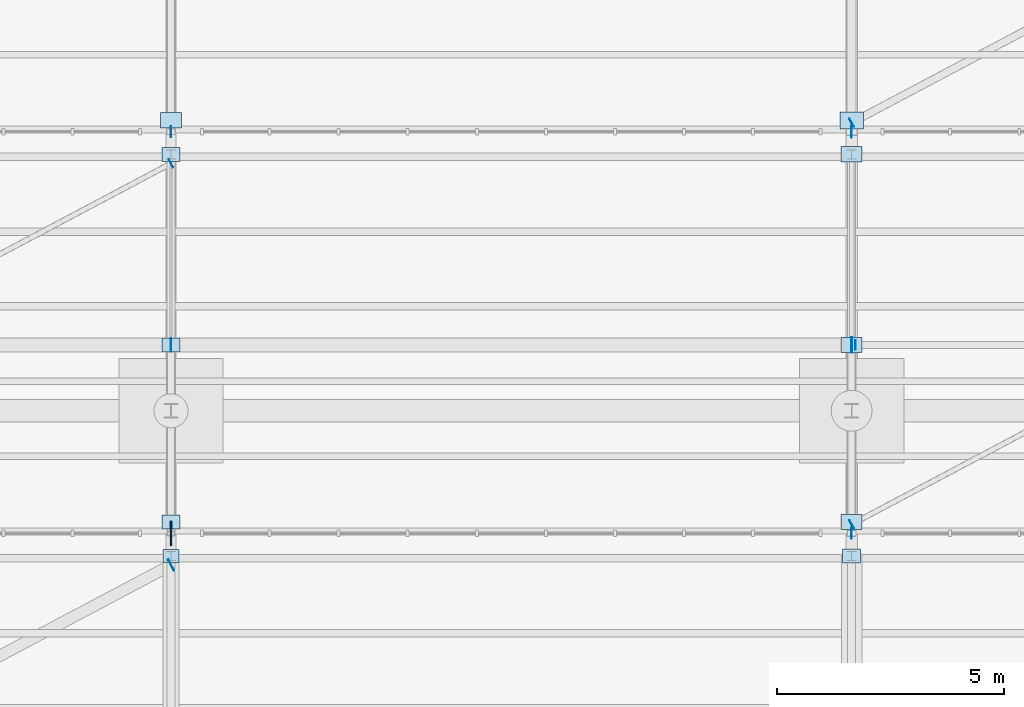
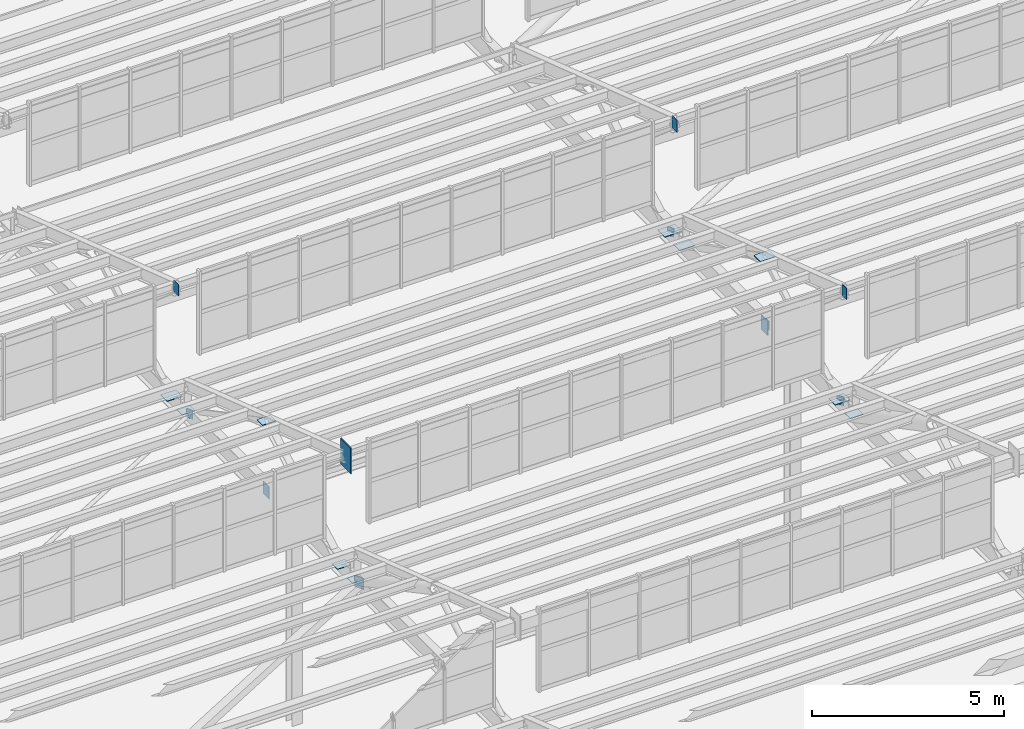
# One storey, part 217 of 285: 21 plates.
"""IFC4 building model written with IfcOpenShell, lengths in metres."""

import ifcopenshell
import ifcopenshell.guid

model = None  # the IFC model being written
_history = None  # IfcOwnerHistory: only IFC2X3 demands one
_inside = {}  # id of a spatial element -> (the spatial element, [elements in it])
_under = {}  # id of a project, library or spatial element -> (it, [spatial elements below it])
_declared = {}  # id of a project -> (the project, [libraries it declares])
_typed = {}  # id of a type object -> (the type object, [elements of that type])
_made_of = {}  # id of a material, layer set ... -> (it, [elements and type objects made of it])


def new_model(schema):
    """Start an empty IFC model of exactly this schema.

    Asked for "IFC4X3", IfcOpenShell would pick the latest addendum, in which some entities
    have other attributes; the version numbers below select the first issue.
    IFC2X3 requires an IfcOwnerHistory on every rooted entity: one is made here for all.
    """
    global model, _history
    if schema == "IFC4X3":
        model = ifcopenshell.file(schema_version=(4, 3, 0, 0))
    else:
        model = ifcopenshell.file(schema=schema)
    _inside.clear()
    _under.clear()
    _declared.clear()
    _typed.clear()
    _made_of.clear()
    _history = None
    if model.schema == "IFC2X3":
        org = make("IfcOrganization", Name="unknown")
        user = make(
            "IfcPersonAndOrganization",
            ThePerson=make("IfcPerson", FamilyName="unknown"),
            TheOrganization=org,
        )
        app = make(
            "IfcApplication",
            ApplicationDeveloper=org,
            Version="unknown",
            ApplicationFullName="unknown",
            ApplicationIdentifier="unknown",
        )
        _history = make(
            "IfcOwnerHistory",
            OwningUser=user,
            OwningApplication=app,
            ChangeAction="ADDED",
            CreationDate=0,
        )
    return model


def make(cls, **values):
    """One entity of the class cls with the attributes given. An attribute that is None is left unset."""
    return model.create_entity(
        cls, **{name: value for name, value in values.items() if value is not None}
    )


def rooted(cls, **values):
    """An entity with a GlobalId (a new one), such as an element, a storey or a relation."""
    return make(cls, GlobalId=ifcopenshell.guid.new(), OwnerHistory=_history, **values)


def si_unit(unit_type, name, prefix=None):
    """IfcSIUnit, for example si_unit("LENGTHUNIT", "METRE", prefix="MILLI")."""
    return make("IfcSIUnit", UnitType=unit_type, Prefix=prefix, Name=name)


def assignment(units):
    """IfcUnitAssignment: the units of a project."""
    return None if units is None else make("IfcUnitAssignment", Units=units)


def point(xyz):
    """IfcCartesianPoint."""
    return None if xyz is None else make("IfcCartesianPoint", Coordinates=xyz)


def direction(xyz):
    """IfcDirection."""
    return None if xyz is None else make("IfcDirection", DirectionRatios=xyz)


def frame(location, z_axis=None, x_axis=None):
    """IfcAxis2Placement3D, a coordinate frame: its origin and axes. An axis left out is left unset."""
    return make(
        "IfcAxis2Placement3D",
        Location=point(location),
        Axis=direction(z_axis),
        RefDirection=direction(x_axis),
    )


def frame_2d(location, x_axis=None):
    """IfcAxis2Placement2D, a coordinate frame in the plane: its origin and x axis."""
    return make(
        "IfcAxis2Placement2D", Location=point(location), RefDirection=direction(x_axis)
    )


def origin():
    """The frame at (0, 0, 0) with its axes left unset."""
    return frame((0.0, 0.0, 0.0))


def origin_2d():
    """The frame at (0, 0) in the plane with its x axis left unset."""
    return frame_2d((0.0, 0.0))


def place(relative_to, where):
    """IfcLocalPlacement: puts the frame where relative to a parent placement (None: the world)."""
    return make(
        "IfcLocalPlacement", PlacementRelTo=relative_to, RelativePlacement=where
    )


def context(
    kind, dimensions, precision=None, world=None, true_north=None, identifier=None
):
    """IfcGeometricRepresentationContext, for example the 3D "Model" context."""
    return make(
        "IfcGeometricRepresentationContext",
        ContextIdentifier=identifier,
        ContextType=kind,
        CoordinateSpaceDimension=dimensions,
        Precision=precision,
        WorldCoordinateSystem=world,
        TrueNorth=true_north,
    )


def subcontext(parent, identifier, kind, view, scale=None):
    """IfcGeometricRepresentationSubContext, for example "Body" below "Model"."""
    return make(
        "IfcGeometricRepresentationSubContext",
        ContextIdentifier=identifier,
        ContextType=kind,
        ParentContext=parent,
        TargetScale=scale,
        TargetView=view,
    )


def project(units=None, contexts=None):
    """IfcProject with its units and contexts."""
    return rooted(
        "IfcProject",
        Name="project",
        RepresentationContexts=contexts,
        UnitsInContext=assignment(units),
    )


def spatial(cls, under=None, at=None, **own):
    """A site, building, storey or space (cls), placed at a placement, below another one or the project."""
    s = rooted(cls, ObjectPlacement=at, **own)
    if under is not None:
        _under.setdefault(under.id(), (under, []))[1].append(s)
    return s


def profile(cls, at=None, kind="AREA", **sizes):
    """A parametric profile (cls). Its sizes go by their IFC names, for example OverallWidth=200.0."""
    return make(cls, ProfileType=kind, Position=at, **sizes)


def rectangle(**sizes):
    """IfcRectangleProfileDef."""
    return profile("IfcRectangleProfileDef", **sizes)


def extrude(swept, where, along, depth):
    """IfcExtrudedAreaSolid: the profile swept, set in the frame where, extruded along a direction by depth."""
    return make(
        "IfcExtrudedAreaSolid",
        SweptArea=swept,
        Position=where,
        ExtrudedDirection=direction(along),
        Depth=depth,
    )


def shape(context_of_items, identifier, shape_type, items):
    """IfcShapeRepresentation: the items that make up one representation, for example the "Body"."""
    return make(
        "IfcShapeRepresentation",
        ContextOfItems=context_of_items,
        RepresentationIdentifier=identifier,
        RepresentationType=shape_type,
        Items=items,
    )


def material(Name=None, Category=None):
    """IfcMaterial."""
    return make("IfcMaterial", Name=Name, Category=Category)


def layer(
    of_material, thickness, ventilated=None, Name=None, Category=None, Priority=None
):
    """IfcMaterialLayer: one layer of a wall or slab, of a material (None: an air gap)."""
    return make(
        "IfcMaterialLayer",
        Material=of_material,
        LayerThickness=thickness,
        IsVentilated=ventilated,
        Name=Name,
        Category=Category,
        Priority=Priority,
    )


def layer_set(layers, Name=None):
    """IfcMaterialLayerSet."""
    return make("IfcMaterialLayerSet", MaterialLayers=layers, LayerSetName=Name)


def made_of(thing, what):
    """Note that an element or type object is made of a material, layer set ...; save() writes the relation."""
    if what is not None:
        _made_of.setdefault(what.id(), (what, []))[1].append(thing)
    return thing


def type_object(cls, material=None, **own):
    """A type object (cls), such as IfcWallType, which elements share."""
    return made_of(rooted(cls, **own), material)


def element(
    cls,
    number,
    at=None,
    inside=None,
    cuts=None,
    type_object=None,
    material=None,
    context=None,
    identifier="Body",
    shape_type=None,
    held_by="IfcProductDefinitionShape",
    body=None,
    shapes=None,
    **own,
):
    """One element of the class cls, such as IfcWall. Its Tag is "e" and its number.

    at: its placement. inside: the storey or other place that contains it. cuts: it is an
    opening in that element (IfcRelVoidsElement). A single representation is given by context,
    identifier, shape_type and body (its items); several are given by shapes. held_by: the class
    of the entity that holds the representations. save() writes the other relations.
    """
    e = rooted(cls, Tag="e%d" % number, ObjectPlacement=at, **own)
    if body is not None:
        shapes = [shape(context, identifier, shape_type, body)]
    if shapes is not None:
        e.Representation = make(held_by, Representations=shapes)
    if inside is not None:
        _inside.setdefault(inside.id(), (inside, []))[1].append(e)
    if cuts is not None:
        rooted(
            "IfcRelVoidsElement", RelatingBuildingElement=cuts, RelatedOpeningElement=e
        )
    if type_object is not None:
        _typed.setdefault(type_object.id(), (type_object, []))[1].append(e)
    return made_of(e, material)


def aggregate(whole, parts):
    """IfcRelAggregates: a whole, such as a stair, and the parts it consists of."""
    return rooted("IfcRelAggregates", RelatingObject=whole, RelatedObjects=parts)


def save(model, path):
    """Write the relations noted so far, then the file.

    IfcRelAggregates (storeys below a building ...), IfcRelContainedInSpatialStructure (elements
    in a storey), IfcRelDefinesByType, IfcRelAssociatesMaterial and IfcRelDeclares: one each for
    every whole, place, type object, material and project.
    """
    for whole, parts in _under.values():
        aggregate(whole, parts)
    for where, things in _inside.values():
        rooted(
            "IfcRelContainedInSpatialStructure",
            RelatedElements=things,
            RelatingStructure=where,
        )
    for kind, things in _typed.values():
        rooted("IfcRelDefinesByType", RelatedObjects=things, RelatingType=kind)
    for what, things in _made_of.values():
        rooted("IfcRelAssociatesMaterial", RelatedObjects=things, RelatingMaterial=what)
    for by, libraries in _declared.values():
        rooted("IfcRelDeclares", RelatingContext=by, RelatedDefinitions=libraries)
    model.write(path)


model = new_model("IFC4")

# Units and contexts
model_context = context("Model", 3, precision=1e-05, world=origin(), true_north=direction((0.0, 1.0)))
body_context = subcontext(model_context, "Body", "Model", "MODEL_VIEW")
ifc_project = project(units=[si_unit("LENGTHUNIT", "METRE"), si_unit("AREAUNIT", "SQUARE_METRE"), si_unit("VOLUMEUNIT", "CUBIC_METRE"), si_unit("PLANEANGLEUNIT", "RADIAN"), si_unit("MASSUNIT", "GRAM", prefix="KILO")], contexts=[model_context])

# Site, building, storey
site_placement = place(None, origin())
site = spatial("IfcSite", under=ifc_project, at=site_placement, CompositionType="ELEMENT")
building_placement = place(site_placement, origin())
building = spatial("IfcBuilding", under=site, at=building_placement, Name="Solanera Park Tramway Depot", CompositionType="ELEMENT")
storey_placement = place(building_placement, origin())
storey = spatial("IfcBuildingStorey", under=building, at=storey_placement, Name="L00", CompositionType="ELEMENT", Elevation=0.0)

# Plates
ifc_material_1 = material(Name="Steel AS/NZS 3679.1 Grade 350", Category="steel")
ifc_layer_1 = layer(ifc_material_1, 0.013916015625)
ifc_layer_set_1 = layer_set([ifc_layer_1], Name="Steel AS/NZS 3679.1 Grade 350")
plate_type_1 = type_object("IfcPlateType", Name="Hollow End Cap and Base Plate 280x200x14", PredefinedType="USERDEFINED", material=ifc_layer_set_1)
for number, where, z_axis, x_axis, name in (
    (1, (105.000732421875, 90.451416015625, 6.35986328125), (0.0, 0.0, 1.0), (0.883520501477, 0.468392488698, 0.0), "Hollow Section Welded End Cap Plate #0419"),
    (2, (120.0849609375, 86.449951171875, 6.35986328125), (0.0, 0.0, 1.0), (1.0, 0.0, 0.0), "Hollow Section Welded End Cap Plate #0420"),
    (3, (119.999267578125, 82.49853515625, 6.35986328125), (0.0, 0.0, 1.0), (0.883520501477, 0.468392488698, 0.0), "Hollow Section Welded End Cap Plate #0422"),
    (4, (119.999267578125, 91.3486328125, 6.35986328125), (0.0, 0.0, 1.0), (0.883520501477, 0.468392488698, 0.0), "Hollow Section Welded End Cap Plate #0515"),
):
    element("IfcPlate", number, at=place(storey_placement, frame(where, z_axis=z_axis, x_axis=x_axis)), inside=storey, type_object=plate_type_1, Name=name, ObjectType="BASE PLATE", PredefinedType="USERDEFINED", context=body_context, shape_type="SweptSolid", body=[
        extrude(rectangle(XDim=0.013916015625, YDim=0.199951171875, at=origin_2d()), origin(), (0.0, 0.0, 1.0), 0.280029296875),
    ])
ifc_material_2 = material(Name="Steel AS/NZS 3679.1 Grade 350", Category="steel")
ifc_layer_2 = layer(ifc_material_2, 0.01806640625)
ifc_layer_set_2 = layer_set([ifc_layer_2], Name="Steel AS/NZS 3679.1 Grade 350")
plate_type_2 = type_object("IfcPlateType", Name="Hollow End Cap and Base Plate 360x280x18", PredefinedType="USERDEFINED", material=ifc_layer_set_2)
plate_1_placement = place(storey_placement, frame((105.0, 81.800048828125, 6.490966796875), z_axis=(0.0, 0.0, 1.0), x_axis=(1.0, 0.0, 0.0)))
element("IfcPlate", 5, at=plate_1_placement, inside=storey, type_object=plate_type_2, Name="Sawtooth Truss Node Cap Plate #0303", ObjectType="BASE PLATE", PredefinedType="USERDEFINED", context=body_context, shape_type="SweptSolid", body=[
    extrude(rectangle(XDim=0.360107421875, YDim=0.280029296875, at=origin_2d()), origin(), (0.0, 0.0, 1.0), 0.01806640625),
])
plate_2_placement = place(storey_placement, frame((105.00244140625, 81.602294921875, 6.31982421875), z_axis=(0.0, 0.0, 1.0), x_axis=(0.883520501477, 0.468392488698, 0.0)))
element("IfcPlate", 6, at=plate_2_placement, inside=storey, type_object=plate_type_2, Name="Hollow Section Welded End Cap Plate #0350", ObjectType="BASE PLATE", PredefinedType="USERDEFINED", context=body_context, shape_type="SweptSolid", body=[
    extrude(rectangle(XDim=0.01806640625, YDim=0.280029296875, at=origin_2d()), origin(), (0.0, 0.0, 1.0), 0.360107421875),
])
ifc_material_3 = material(Name="Steel AS/NZS 3679.1 Grade 350", Category="steel")
ifc_layer_3 = layer(ifc_material_3, 0.02001953125)
ifc_layer_set_3 = layer_set([ifc_layer_3], Name="Steel AS/NZS 3679.1 Grade 350")
plate_type_3 = type_object("IfcPlateType", Name="Hollow End Cap and Base Plate 400x300x20", PredefinedType="USERDEFINED", material=ifc_layer_set_3)
plate_3_placement = place(storey_placement, frame((120.0, 81.800048828125, 6.489990234375), z_axis=(0.0, 0.0, 1.0), x_axis=(1.0, 0.0, 0.0)))
element("IfcPlate", 7, at=plate_3_placement, inside=storey, type_object=plate_type_3, Name="Sawtooth Truss Node Cap Plate #0308", ObjectType="BASE PLATE", PredefinedType="USERDEFINED", context=body_context, shape_type="SweptSolid", body=[
    extrude(rectangle(XDim=0.39990234375, YDim=0.300048828125, at=origin_2d()), origin(), (0.0, 0.0, 1.0), 0.02001953125),
])
plate_4_placement = place(storey_placement, frame((105.0, 86.449951171875, 6.300048828125), z_axis=(0.0, 0.0, 1.0), x_axis=(1.0, 0.0, 0.0)))
element("IfcPlate", 8, at=plate_4_placement, inside=storey, type_object=plate_type_3, Name="Sawtooth Truss Hollow End Cap #0391", ObjectType="BASE PLATE", PredefinedType="USERDEFINED", context=body_context, shape_type="SweptSolid", body=[
    extrude(rectangle(XDim=0.02001953125, YDim=0.300048828125, at=origin_2d()), origin(), (0.0, 0.0, 1.0), 0.39990234375),
])
for number, where, z_axis, x_axis, name in (
    (9, (105.0, 90.64990234375, 6.489990234375), (0.0, 0.0, 1.0), (1.0, 0.0, 0.0), "Sawtooth Truss Node Cap Plate #0392"),
    (10, (105.0, 86.449951171875, 8.70849609375), (0.0, 0.0, 1.0), (1.0, 0.0, 0.0), "Sawtooth Truss Node Cap Plate #0393"),
    (11, (105.0, 82.550048828125, 6.489990234375), (0.0, 0.0, 1.0), (1.0, 0.0, 0.0), "Sawtooth Truss Node Cap Plate #0394"),
):
    element("IfcPlate", number, at=place(storey_placement, frame(where, z_axis=z_axis, x_axis=x_axis)), inside=storey, type_object=plate_type_3, Name=name, ObjectType="BASE PLATE", PredefinedType="USERDEFINED", context=body_context, shape_type="SweptSolid", body=[
        extrude(rectangle(XDim=0.39990234375, YDim=0.300048828125, at=origin_2d()), origin(), (0.0, 0.0, 1.0), 0.02001953125),
    ])
ifc_material_4 = material(Name="Steel AS/NZS 3679.1 Grade 350", Category="steel")
ifc_layer_4 = layer(ifc_material_4, 0.02197265625)
ifc_layer_set_4 = layer_set([ifc_layer_4], Name="Steel AS/NZS 3679.1 Grade 350")
plate_type_4 = type_object("IfcPlateType", Name="Hollow End Cap and Base Plate 460x340x22", PredefinedType="USERDEFINED", material=ifc_layer_set_4)
plate_5_placement = place(storey_placement, frame((120.0, 86.449951171875, 6.27001953125), z_axis=(0.0, 0.0, 1.0), x_axis=(1.0, 0.0, 0.0)))
element("IfcPlate", 12, at=plate_5_placement, inside=storey, type_object=plate_type_4, Name="Sawtooth Truss Hollow End Cap #0396", ObjectType="BASE PLATE", PredefinedType="USERDEFINED", context=body_context, shape_type="SweptSolid", body=[
    extrude(rectangle(XDim=0.02197265625, YDim=0.340087890625, at=origin_2d()), origin(), (0.0, 0.0, 1.0), 0.4599609375),
])
for number, where, z_axis, x_axis, name in (
    (13, (120.0, 90.64990234375, 6.489013671875), (0.0, 0.0, 1.0), (1.0, 0.0, 0.0), "Sawtooth Truss Node Cap Plate #0397"),
    (14, (120.0, 86.449951171875, 8.68212890625), (0.0, 0.0, 1.0), (1.0, 0.0, 0.0), "Sawtooth Truss Node Cap Plate #0398"),
    (15, (120.0, 82.550048828125, 6.489013671875), (0.0, 0.0, 1.0), (1.0, 0.0, 0.0), "Sawtooth Truss Node Cap Plate #0399"),
    (16, (105.0, 91.39990234375, 6.489013671875), (0.0, 0.0, 1.0), (1.0, 0.0, 0.0), "Sawtooth Truss Node Cap Plate #0465"),
):
    element("IfcPlate", number, at=place(storey_placement, frame(where, z_axis=z_axis, x_axis=x_axis)), inside=storey, type_object=plate_type_4, Name=name, ObjectType="BASE PLATE", PredefinedType="USERDEFINED", context=body_context, shape_type="SweptSolid", body=[
        extrude(rectangle(XDim=0.4599609375, YDim=0.340087890625, at=origin_2d()), origin(), (0.0, 0.0, 1.0), 0.02197265625),
    ])
ifc_material_5 = material(Name="Steel AS/NZS 3679.1 Grade 350", Category="steel")
ifc_layer_5 = layer(ifc_material_5, 0.02490234375)
ifc_layer_set_5 = layer_set([ifc_layer_5], Name="Steel AS/NZS 3679.1 Grade 350")
plate_type_5 = type_object("IfcPlateType", Name="Hollow End Cap and Base Plate 520x380x25", PredefinedType="USERDEFINED", material=ifc_layer_set_5)
plate_6_placement = place(storey_placement, frame((120.0, 91.39990234375, 6.487548828125), z_axis=(0.0, 0.0, 1.0), x_axis=(1.0, 0.0, 0.0)))
element("IfcPlate", 17, at=plate_6_placement, inside=storey, type_object=plate_type_5, Name="Sawtooth Truss Node Cap Plate #0470", ObjectType="BASE PLATE", PredefinedType="USERDEFINED", context=body_context, shape_type="SweptSolid", body=[
    extrude(rectangle(XDim=0.52001953125, YDim=0.3798828125, at=origin_2d()), origin(), (0.0, 0.0, 1.0), 0.02490234375),
])
ifc_material_6 = material(Name="Steel AS/NZS 3679.1 Grade 350", Category="steel")
ifc_layer_6 = layer(ifc_material_6, 0.013916015625)
ifc_layer_set_6 = layer_set([ifc_layer_6], Name="Steel AS/NZS 3679.1 Grade 350")
plate_type_6 = type_object("IfcPlateType", Name="Truss Node Gusset Stiffener 360x240x14", PredefinedType="SHEET", material=ifc_layer_set_6)
for number, where, z_axis, x_axis, name in (
    (18, (120.0, 82.300048828125, 9.9013671875), (0.0, 0.0, 1.0), (1.0, 0.0, 0.0), "Sawtooth Truss Apex Gusset Plate #0395"),
    (19, (105.0, 91.14990234375, 9.9013671875), (0.0, 0.0, 1.0), (1.0, 0.0, 0.0), "Sawtooth Truss Apex Gusset Plate #0461"),
):
    element("IfcPlate", number, at=place(storey_placement, frame(where, z_axis=z_axis, x_axis=x_axis)), inside=storey, type_object=plate_type_6, Name=name, PredefinedType="SHEET", context=body_context, shape_type="SweptSolid", body=[
        extrude(rectangle(XDim=0.013916015625, YDim=0.239990234375, at=origin_2d()), origin(), (0.0, 0.0, 1.0), 0.360107421875),
    ])
ifc_material_7 = material(Name="Steel AS/NZS 3679.1 Grade 350", Category="steel")
ifc_layer_7 = layer(ifc_material_7, 0.01611328125)
ifc_layer_set_7 = layer_set([ifc_layer_7], Name="Steel AS/NZS 3679.1 Grade 350")
plate_type_7 = type_object("IfcPlateType", Name="Truss Node Gusset Stiffener 400x260x16", PredefinedType="SHEET", material=ifc_layer_set_7)
plate_7_placement = place(storey_placement, frame((120.0, 91.14990234375, 9.856201171875), z_axis=(0.0, 0.0, 1.0), x_axis=(1.0, 0.0, 0.0)))
element("IfcPlate", 20, at=plate_7_placement, inside=storey, type_object=plate_type_7, Name="Sawtooth Truss Apex Gusset Plate #0466", PredefinedType="SHEET", context=body_context, shape_type="SweptSolid", body=[
    extrude(rectangle(XDim=0.01611328125, YDim=0.260009765625, at=origin_2d()), origin(), (0.0, 0.0, 1.0), 0.39990234375),
])
ifc_material_8 = material(Name="Steel AS/NZS 3679.1 Grade 350", Category="steel")
ifc_layer_8 = layer(ifc_material_8, 0.028076171875)
ifc_layer_set_8 = layer_set([ifc_layer_8], Name="Steel AS/NZS 3679.1 Grade 350")
plate_type_8 = type_object("IfcPlateType", Name="Truss Node Gusset Stiffener 820x540x28", PredefinedType="SHEET", material=ifc_layer_set_8)
plate_8_placement = place(storey_placement, frame((105.0, 82.300048828125, 9.69677734375), z_axis=(0.0, 0.0, 1.0), x_axis=(1.0, 0.0, 0.0)))
element("IfcPlate", 21, at=plate_8_placement, inside=storey, type_object=plate_type_8, Name="Sawtooth Truss Apex Gusset Plate #0390", PredefinedType="SHEET", context=body_context, shape_type="SweptSolid", body=[
    extrude(rectangle(XDim=0.028076171875, YDim=0.5400390625, at=origin_2d()), origin(), (0.0, 0.0, 1.0), 0.820068359375),
])

save(model, "model.ifc")
